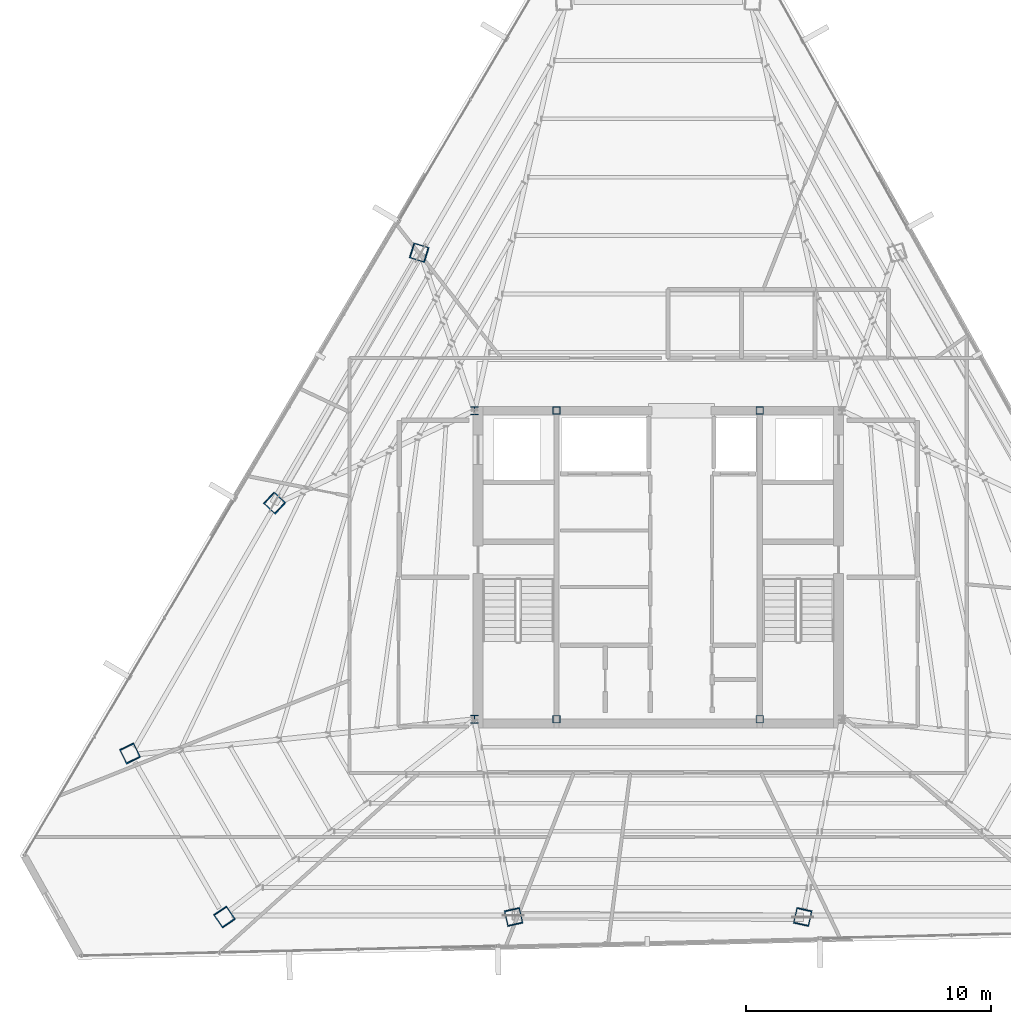
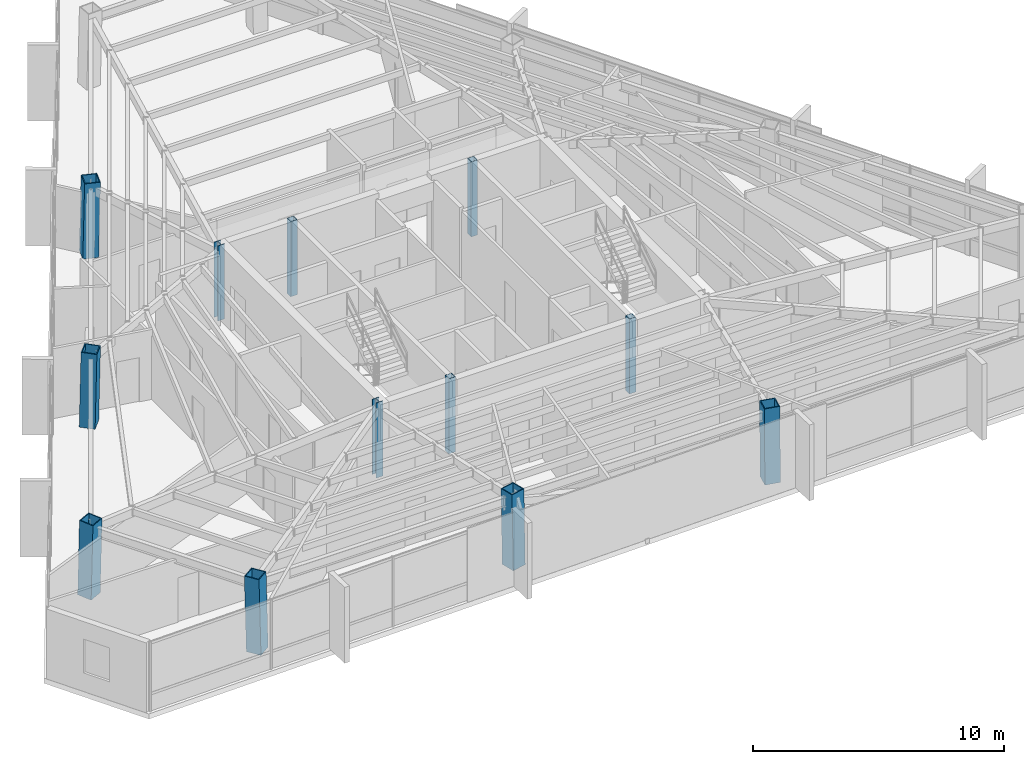
# One storey, part 1 of 47: 12 columns.
"""IFC4 building model written with IfcOpenShell, lengths in metres."""

from ifc_helpers import new_model, si_unit, direction, frame, origin, origin_2d, place, context, subcontext, project, spatial, hollow_rectangle, i_section, extrude, source, transform, mapped, material, material_profile, profile_set, type_object, type_shapes, element, save


model = new_model("IFC4")

# Units and contexts
model_context = context("Model", 3, precision=1e-05, world=origin(), true_north=direction((0.0, 1.0)))
body_context = subcontext(model_context, "Body", "Model", "MODEL_VIEW")
ifc_project = project(units=[si_unit("LENGTHUNIT", "METRE"), si_unit("AREAUNIT", "SQUARE_METRE"), si_unit("VOLUMEUNIT", "CUBIC_METRE"), si_unit("PLANEANGLEUNIT", "RADIAN"), si_unit("MASSUNIT", "GRAM", prefix="KILO")], contexts=[model_context])

# Site, building, storey
site_placement = place(None, origin())
site = spatial("IfcSite", under=ifc_project, at=site_placement, CompositionType="ELEMENT")
building_placement = place(site_placement, origin())
building = spatial("IfcBuilding", under=site, at=building_placement, Name="Caelisora Broadcast Tower", CompositionType="ELEMENT")
storey_placement = place(building_placement, frame((0.0, 0.0, 255.39990234375)))
storey = spatial("IfcBuildingStorey", under=building, at=storey_placement, Name="L67", CompositionType="ELEMENT", Elevation=255.39990234375)

# Columns
ifc_material_1 = material(Name="Steel Grade 350 (AS/NZS 3679.1)", Category="steel")
ifc_material_profile_1 = material_profile(ifc_material_1, i_section(OverallWidth=0.31103515625, OverallDepth=0.3271484375, WebThickness=0.015625, FlangeThickness=0.02490234375, at=origin_2d()), Name="Steel Grade 350 (AS/NZS 3679.1)")
ifc_profile_set_1 = profile_set([ifc_material_profile_1], Name="Steel Grade 350 (AS/NZS 3679.1)")
column_type_1 = type_object("IfcColumnType", Name="CC03", PredefinedType="COLUMN", material=ifc_profile_set_1)
shared_shape_1 = source(origin(), body_context, "Body", "SweptSolid", [
    extrude(i_section(OverallWidth=0.31103515625, OverallDepth=0.3271484375, WebThickness=0.015625, FlangeThickness=0.02490234375, at=origin_2d()), origin(), (0.0, 0.0, 1.0), 3.650146484375),
])
type_shapes(column_type_1, [shared_shape_1])
for number, where, z_axis, x_axis, name in (
    (1, (30.5, 17.39990234375, 0.0), (0.0, 0.0, 1.0), (1.0, 0.0, 0.0), "L67 column CC03"),
    (2, (30.5, 30.0, 0.0), (0.0, 0.0, 1.0), (1.0, 0.0, 0.0), "L67 column CC03"),
):
    element("IfcColumn", number, at=place(storey_placement, frame(where, z_axis=z_axis, x_axis=x_axis)), inside=storey, type_object=column_type_1, Name=name, PredefinedType="COLUMN", context=body_context, shape_type="MappedRepresentation", body=[
        mapped(shared_shape_1, transform((0.0, 0.0, 0.0), scale=1.0)),
    ])
ifc_material_2 = material(Name="Steel Grade 350 L15 (AS/NZS 3678)", Category="steel")
ifc_material_profile_2 = material_profile(ifc_material_2, hollow_rectangle(XDim=0.64990234375, YDim=0.64990234375, WallThickness=0.0400390625, at=origin_2d()), Name="Steel Grade 350 L15 (AS/NZS 3678)")
ifc_profile_set_2 = profile_set([ifc_material_profile_2], Name="Steel Grade 350 L15 (AS/NZS 3678)")
column_type_2 = type_object("IfcColumnType", Name="MC06", PredefinedType="COLUMN", material=ifc_profile_set_2)
shared_shape_2 = source(origin(), body_context, "Body", "SweptSolid", [
    extrude(hollow_rectangle(XDim=0.64990234375, YDim=0.64990234375, WallThickness=0.0400390625, at=origin_2d()), origin(), (0.0, 0.0, 1.0), 3.651123046875),
])
for number, where, z_axis, x_axis, name in (
    (3, (16.4296875, 16.014892578125, 0.0), (0.010431098089, -0.021530856313, 0.999713766245), (0.899947055326, 0.435999194506, 0.0), "L67 column MC06"),
    (4, (20.299560546875, 9.31201171875, 0.0), (-0.013440050965, 0.019859179784, 0.999712447661), (-0.828169210203, -0.560478152359, 0.0), "L67 column MC06"),
):
    element("IfcColumn", number, at=place(storey_placement, frame(where, z_axis=z_axis, x_axis=x_axis)), inside=storey, type_object=column_type_2, Name=name, PredefinedType="COLUMN", context=body_context, shape_type="MappedRepresentation", body=[
        mapped(shared_shape_2, transform((0.0, 0.0, 0.0), scale=1.0)),
    ])
shared_shape_3 = source(origin(), body_context, "Body", "SweptSolid", [
    extrude(hollow_rectangle(XDim=0.64990234375, YDim=0.64990234375, WallThickness=0.0400390625, at=origin_2d()), origin(), (0.0, 0.0, 1.0), 3.65087890625),
])
type_shapes(column_type_2, [shared_shape_2, shared_shape_3])
for number, where, z_axis, x_axis, name in (
    (5, (28.22998046875, 36.45361328125, 0.0), (0.01939269685, -0.00601842316, 0.999793829693), (0.296399214872, 0.955064136811, 0.0), "L67 column MC06"),
    (6, (22.329833984375, 26.234375, 0.0), (0.014912302561, -0.01384236157, 0.999792984702), (0.680325028146, 0.732910537568, 0.0), "L67 column MC06"),
    (7, (32.099853515625, 9.31201171875, 0.0), (-0.004480376697, 0.019860774315, 0.999792716451), (-0.975486508487, -0.220059246022, 0.0), "L67 column MC06"),
    (8, (43.900146484375, 9.31201171875, 0.0), (0.004480376697, 0.019860774315, 0.999792716451), (-0.975486508487, 0.220059246022, 0.0), "L67 column MC06"),
):
    element("IfcColumn", number, at=place(storey_placement, frame(where, z_axis=z_axis, x_axis=x_axis)), inside=storey, type_object=column_type_2, Name=name, PredefinedType="COLUMN", context=body_context, shape_type="MappedRepresentation", body=[
        mapped(shared_shape_3, transform((0.0, 0.0, 0.0), scale=1.0)),
    ])
ifc_material_3 = material(Name="Steel Grade 350 (AS/NZS 1163 C350L0)", Category="steel")
ifc_material_profile_3 = material_profile(ifc_material_3, hollow_rectangle(XDim=0.300048828125, YDim=0.300048828125, WallThickness=0.012451171875, at=origin_2d()), Name="Steel Grade 350 (AS/NZS 1163 C350L0)")
ifc_profile_set_3 = profile_set([ifc_material_profile_3], Name="Steel Grade 350 (AS/NZS 1163 C350L0)")
column_type_3 = type_object("IfcColumnType", Name="CC08", PredefinedType="COLUMN", material=ifc_profile_set_3)
shared_shape_4 = source(origin(), body_context, "Body", "SweptSolid", [
    extrude(hollow_rectangle(XDim=0.300048828125, YDim=0.300048828125, WallThickness=0.012451171875, at=origin_2d()), origin(), (0.0, 0.0, 1.0), 3.650146484375),
])
type_shapes(column_type_3, [shared_shape_4])
for number, where, z_axis, x_axis, name in (
    (9, (33.85009765625, 17.39990234375, 0.0), (0.0, 0.0, 1.0), (1.0, 0.0, 0.0), "L67 column CC08"),
    (10, (42.14990234375, 17.39990234375, 0.0), (0.0, 0.0, 1.0), (1.0, 0.0, 0.0), "L67 column CC08"),
    (11, (33.85009765625, 30.0, 0.0), (0.0, 0.0, 1.0), (1.0, 0.0, 0.0), "L67 column CC08"),
    (12, (42.14990234375, 30.0, 0.0), (0.0, 0.0, 1.0), (1.0, 0.0, 0.0), "L67 column CC08"),
):
    element("IfcColumn", number, at=place(storey_placement, frame(where, z_axis=z_axis, x_axis=x_axis)), inside=storey, type_object=column_type_3, Name=name, PredefinedType="COLUMN", context=body_context, shape_type="MappedRepresentation", body=[
        mapped(shared_shape_4, transform((0.0, 0.0, 0.0), scale=1.0)),
    ])

save(model, "model.ifc")
